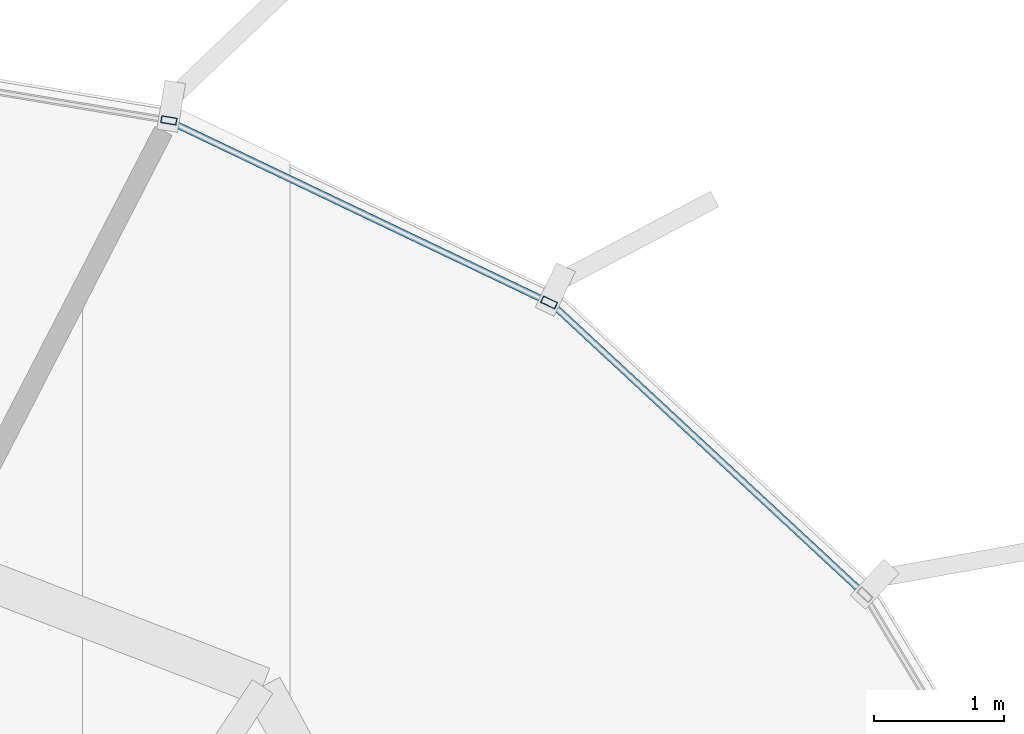
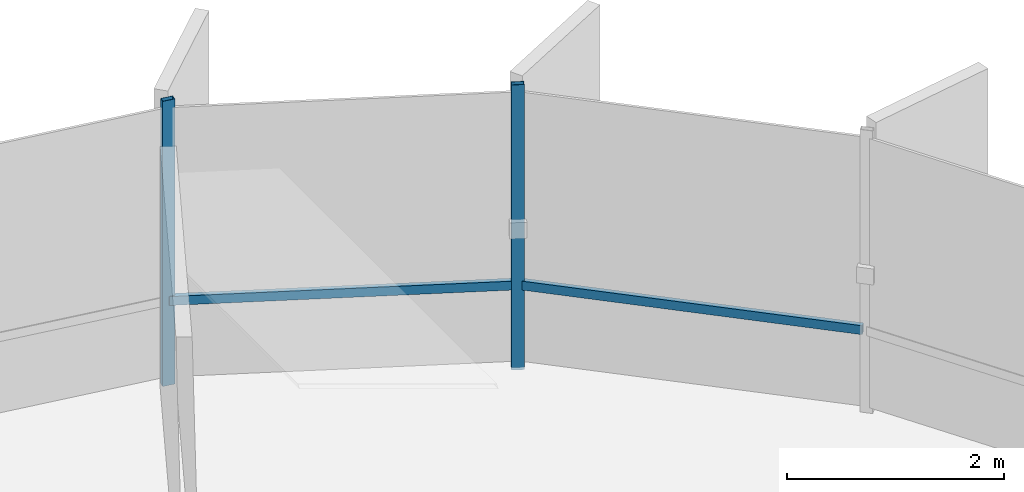
# One storey, part 26 of 34: 4 members, 2 elements without a shape of their own.
"""IFC4 building model written with IfcOpenShell, lengths in metres."""

from ifc_helpers import new_model, si_unit, direction, frame, origin, origin_2d, place, context, subcontext, project, spatial, hollow_rectangle, extrude, source, transform, mapped, material, layer, layer_set, material_profile, profile_set, type_object, element, aggregate, save


model = new_model("IFC4")

# Units and contexts
model_context = context("Model", 3, precision=1e-05, world=origin(), true_north=direction((0.0, 1.0)))
body_context = subcontext(model_context, "Body", "Model", "MODEL_VIEW")
ifc_project = project(units=[si_unit("LENGTHUNIT", "METRE"), si_unit("AREAUNIT", "SQUARE_METRE"), si_unit("VOLUMEUNIT", "CUBIC_METRE"), si_unit("PLANEANGLEUNIT", "RADIAN"), si_unit("MASSUNIT", "GRAM", prefix="KILO"), si_unit("THERMODYNAMICTEMPERATUREUNIT", "KELVIN")], contexts=[model_context])

# Site, building, storey
site_placement = place(None, origin())
site = spatial("IfcSite", under=ifc_project, at=site_placement, CompositionType="ELEMENT")
building_placement = place(site_placement, origin())
building = spatial("IfcBuilding", under=site, at=building_placement, Name="Kethvar Cultural Tower", CompositionType="ELEMENT")
storey_placement = place(building_placement, frame((0.0, 0.0, 259.449951171875)))
storey = spatial("IfcBuildingStorey", under=building, at=storey_placement, Name="L68", CompositionType="ELEMENT", Elevation=259.449951171875)

# Curtain wall, members
ifc_material = material(Name="Aluminium 6063-T6", Category="aluminium")
ifc_layer = layer(ifc_material, 0.179931640625, Name="Aluminium 6063-T6", Category="aluminium")
ifc_layer_set = layer_set([ifc_layer], Name="Aluminium 6063-T6 (180 mm)")
curtain_wall_type = type_object("IfcCurtainWallType", Name="CW-SYS-05-Z56", PredefinedType="NOTDEFINED", material=ifc_layer_set)
curtain_wall_1_placement = place(storey_placement, origin())
curtain_wall_1 = element("IfcCurtainWall", 1, at=curtain_wall_1_placement, inside=storey, type_object=curtain_wall_type, Name="L68 Curtain Wall Run 01", PredefinedType="NOTDEFINED")
ifc_material_profile_1 = material_profile(ifc_material, hollow_rectangle(XDim=0.054931640625, YDim=0.1201171875, WallThickness=0.00390625, at=origin_2d()), Name="Aluminium 6063-T6 — RHS120x55x4")
ifc_profile_set_1 = profile_set([ifc_material_profile_1], Name="Aluminium 6063-T6 — RHS120x55x4")
member_type_1 = type_object("IfcMemberType", Name="CW-SYS-05-Z56-MUL", PredefinedType="MULLION", material=ifc_profile_set_1)
shared_shape_1 = source(origin(), body_context, "Body", "SweptSolid", [
    extrude(hollow_rectangle(XDim=0.054931640625, YDim=0.1201171875, WallThickness=0.00390625, at=origin_2d()), origin(), (0.0, 0.0, 1.0), 3.2099609375),
])
member_1_placement = place(storey_placement, frame((61.851806640625, 49.984130859375, 0.0), z_axis=(0.0, 0.0, 1.0), x_axis=(-0.430731627144, -0.902480063701, 0.0)))
member_1 = element("IfcMember", 2, at=member_1_placement, type_object=member_type_1, Name="CW-L68-R01 Mullion 1", PredefinedType="MULLION", context=body_context, shape_type="MappedRepresentation", body=[
    mapped(shared_shape_1, transform((0.0, 0.0, 0.0), scale=1.0)),
])
member_2_placement = place(storey_placement, frame((58.93310546875, 51.381591796875, 0.0), z_axis=(0.0, 0.0, 1.0), x_axis=(-0.163756419994, -0.9865008033, 0.0)))
member_2 = element("IfcMember", 3, at=member_2_placement, type_object=member_type_1, Name="CW-L68-R01 Mullion 2", PredefinedType="MULLION", context=body_context, shape_type="MappedRepresentation", body=[
    mapped(shared_shape_1, transform((0.0, 0.0, 0.0), scale=1.0)),
])
ifc_material_profile_2 = material_profile(ifc_material, hollow_rectangle(XDim=0.050048828125, YDim=0.10009765625, WallThickness=0.00390625, at=origin_2d()), Name="Aluminium 6063-T6 — RHS100x50x4")
ifc_profile_set_2 = profile_set([ifc_material_profile_2], Name="Aluminium 6063-T6 — RHS100x50x4")
member_type_2 = type_object("IfcMemberType", Name="CW-SYS-05-Z56-TRN", PredefinedType="USERDEFINED", material=ifc_profile_set_2)
shared_shape_2 = source(origin(), body_context, "Body", "SweptSolid", [
    extrude(hollow_rectangle(XDim=0.050048828125, YDim=0.10009765625, WallThickness=0.00390625, at=origin_2d()), origin(), (0.0, 0.0, 1.0), 3.22021484375),
])
member_3_placement = place(storey_placement, frame((61.848388671875, 49.98583984375, 0.949951171875), z_axis=(-0.902494433242, 0.430701518418, 0.0), x_axis=(-0.430701518418, -0.902494433242, 0.0)))
member_3 = element("IfcMember", 4, at=member_3_placement, type_object=member_type_2, Name="CW-L68-R01 Transom 1", ObjectType="TRANSOM", PredefinedType="USERDEFINED", context=body_context, shape_type="MappedRepresentation", body=[
    mapped(shared_shape_2, transform((0.0, 0.0, 0.0), scale=1.0)),
])
aggregate(curtain_wall_1, [member_1, member_2, member_3])

# Curtain wall, member
curtain_wall_2_placement = place(storey_placement, origin())
curtain_wall_2 = element("IfcCurtainWall", 5, at=curtain_wall_2_placement, inside=storey, type_object=curtain_wall_type, Name="L68 Curtain Wall Run 06", PredefinedType="NOTDEFINED")
shared_shape_3 = source(origin(), body_context, "Body", "SweptSolid", [
    extrude(hollow_rectangle(XDim=0.050048828125, YDim=0.10009765625, WallThickness=0.00390625, at=origin_2d()), origin(), (0.0, 0.0, 1.0), 3.220458984375),
])
member_4_placement = place(storey_placement, frame((64.247802734375, 47.76708984375, 0.949951171875), z_axis=(-0.732704382542, 0.680547050396, 0.0), x_axis=(-0.680547050396, -0.732704382542, 0.0)))
member_4 = element("IfcMember", 6, at=member_4_placement, type_object=member_type_2, Name="CW-L68-R06 Transom 6", ObjectType="TRANSOM", PredefinedType="USERDEFINED", context=body_context, shape_type="MappedRepresentation", body=[
    mapped(shared_shape_3, transform((0.0, 0.0, 0.0), scale=1.0)),
])
aggregate(curtain_wall_2, [member_4])

save(model, "model.ifc")
